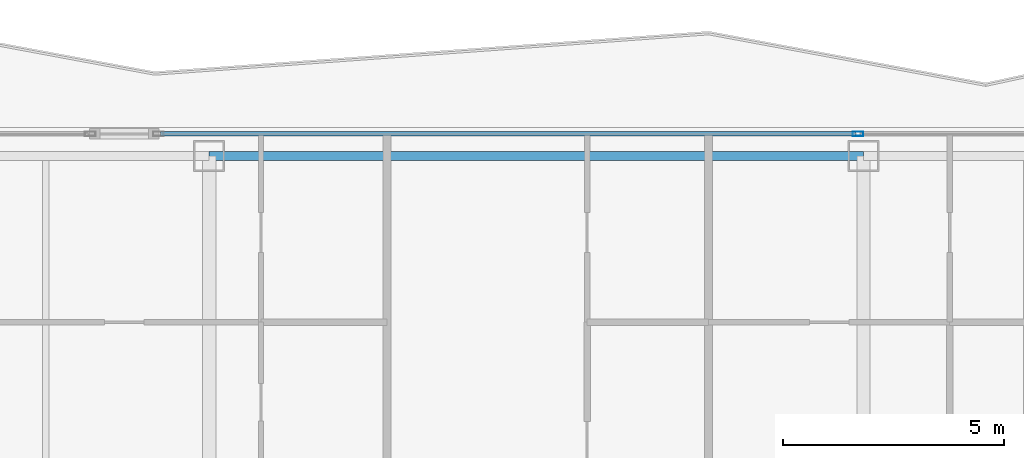
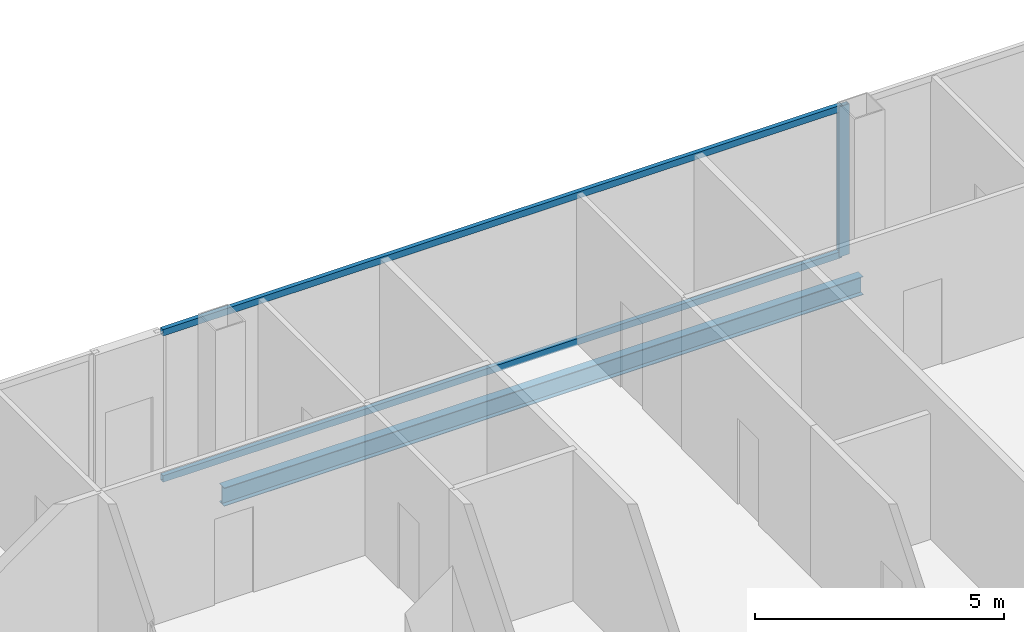
# One storey, part 15 of 26: 3 members, 1 beam, 1 element without a shape of its own.
"""IFC4 building model written with IfcOpenShell, lengths in metres."""

from ifc_helpers import new_model, si_unit, direction, frame, origin, origin_2d, place, context, subcontext, project, spatial, hollow_rectangle, i_section, extrude, material, layer, layer_set, material_profile, profile_set, type_object, element, aggregate, save


model = new_model("IFC4")

# Units and contexts
model_context = context("Model", 3, precision=1e-05, world=origin(), true_north=direction((0.0, 1.0)))
body_context = subcontext(model_context, "Body", "Model", "MODEL_VIEW")
ifc_project = project(units=[si_unit("LENGTHUNIT", "METRE"), si_unit("AREAUNIT", "SQUARE_METRE"), si_unit("VOLUMEUNIT", "CUBIC_METRE"), si_unit("PLANEANGLEUNIT", "RADIAN"), si_unit("MASSUNIT", "GRAM", prefix="KILO")], contexts=[model_context])

# Site, building, storey
site_placement = place(None, origin())
site = spatial("IfcSite", under=ifc_project, at=site_placement, CompositionType="ELEMENT")
building_placement = place(site_placement, origin())
building = spatial("IfcBuilding", under=site, at=building_placement, Name="Khorvyn Point Tower", CompositionType="ELEMENT")
storey_placement = place(building_placement, frame((0.0, 0.0, 113.39990234375)))
storey = spatial("IfcBuildingStorey", under=building, at=storey_placement, Name="L28", CompositionType="ELEMENT", Elevation=113.39990234375)

# Curtain wall, members
ifc_material_1 = material(Name="Anodised aluminium 6063-T6 and laminated Low-E glass", Category="aluminium")
ifc_layer = layer(ifc_material_1, 0.18994140625)
ifc_layer_set = layer_set([ifc_layer], Name="Stick-Built Acoustic Curtain Wall CW-SYS-03")
curtain_wall_type = type_object("IfcCurtainWallType", Name="Stick-Built Acoustic Curtain Wall CW-SYS-03", PredefinedType="NOTDEFINED", material=ifc_layer_set)
curtain_wall_placement = place(storey_placement, origin())
curtain_wall = element("IfcCurtainWall", 1, at=curtain_wall_placement, inside=storey, type_object=curtain_wall_type, Name="Curtain Wall", PredefinedType="NOTDEFINED")
ifc_material_2 = material(Name="Anodised aluminium 6063-T6", Category="aluminium")
ifc_material_profile_1 = material_profile(ifc_material_2, hollow_rectangle(XDim=0.10009765625, YDim=0.239990234375, WallThickness=0.0048828125, at=origin_2d()))
ifc_profile_set_1 = profile_set([ifc_material_profile_1], Name="Anodised aluminium 6063-T6 ALU-MUL-100x240")
member_type_1 = type_object("IfcMemberType", Name="Anodised Aluminium 6063-T6 Mullion ALU-MUL-100x240", PredefinedType="MULLION", material=ifc_profile_set_1)
member_1_placement = place(storey_placement, frame((7.275390625, 29.449951171875, 0.0), z_axis=(0.0, 0.0, 1.0), x_axis=(0.0, 1.0, 0.0)))
member_1 = element("IfcMember", 2, at=member_1_placement, type_object=member_type_1, Name="Transom", PredefinedType="MULLION", context=body_context, shape_type="SweptSolid", body=[
    extrude(hollow_rectangle(XDim=0.10009765625, YDim=0.239990234375, WallThickness=0.0048828125, at=origin_2d()), origin(), (0.0, 0.0, 1.0), 3.68017578125),
])
ifc_material_profile_2 = material_profile(ifc_material_2, hollow_rectangle(XDim=0.10009765625, YDim=0.159912109375, WallThickness=0.00439453125, at=origin_2d()))
ifc_profile_set_2 = profile_set([ifc_material_profile_2], Name="Anodised aluminium 6063-T6 ALU-TRN-100x160")
member_type_2 = type_object("IfcMemberType", Name="Anodised Aluminium 6063-T6 Transom ALU-TRN-100x160", PredefinedType="USERDEFINED", material=ifc_profile_set_2)
member_2_placement = place(storey_placement, frame((-8.4990234375, 29.449951171875, 0.050048828125), z_axis=(1.0, 0.0, 0.0), x_axis=(0.0, 1.0, 0.0)))
member_2 = element("IfcMember", 3, at=member_2_placement, type_object=member_type_2, Name="Transom", ObjectType="TRANSOM", PredefinedType="USERDEFINED", context=body_context, shape_type="SweptSolid", body=[
    extrude(hollow_rectangle(XDim=0.10009765625, YDim=0.159912109375, WallThickness=0.00439453125, at=origin_2d()), origin(), (0.0, 0.0, 1.0), 15.724609375),
])
member_3_placement = place(storey_placement, frame((-8.4990234375, 29.449951171875, 3.630126953125), z_axis=(1.0, 0.0, 0.0), x_axis=(0.0, 1.0, 0.0)))
member_3 = element("IfcMember", 4, at=member_3_placement, type_object=member_type_2, Name="Transom", ObjectType="TRANSOM", PredefinedType="USERDEFINED", context=body_context, shape_type="SweptSolid", body=[
    extrude(hollow_rectangle(XDim=0.10009765625, YDim=0.159912109375, WallThickness=0.00439453125, at=origin_2d()), origin(), (0.0, 0.0, 1.0), 15.724609375),
])
aggregate(curtain_wall, [member_1, member_2, member_3])

# Beam
ifc_material_3 = material(Name="Steel S355", Category="steel")
ifc_material_profile_3 = material_profile(ifc_material_3, i_section(OverallWidth=0.199951171875, OverallDepth=0.449951171875, WebThickness=0.009033203125, FlangeThickness=0.013916015625, at=origin_2d()))
ifc_profile_set_3 = profile_set([ifc_material_profile_3], Name="Steel S355 H450x200x9x14")
beam_type = type_object("IfcBeamType", Name="Steel S355 Spandrel H450x200x9x14", PredefinedType="SPANDREL", material=ifc_profile_set_3)
beam_placement = place(storey_placement, frame((-7.39990234375, 28.949951171875, -0.44482421875), z_axis=(1.0, 0.0, 0.0), x_axis=(0.0, 1.0, 0.0)))
element("IfcBeam", 5, at=beam_placement, inside=storey, type_object=beam_type, Name="Beam", PredefinedType="SPANDREL", context=body_context, shape_type="SweptSolid", body=[
    extrude(i_section(OverallWidth=0.199951171875, OverallDepth=0.449951171875, WebThickness=0.009033203125, FlangeThickness=0.013916015625, at=origin_2d()), origin(), (0.0, 0.0, 1.0), 14.7998046875),
])

save(model, "model.ifc")
